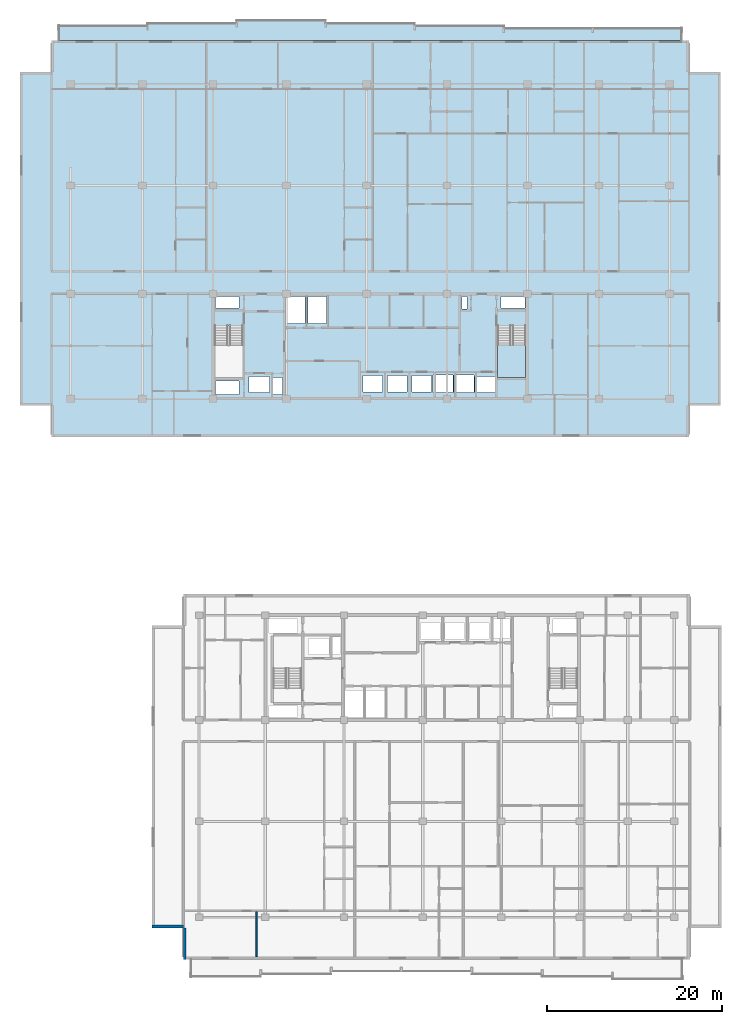
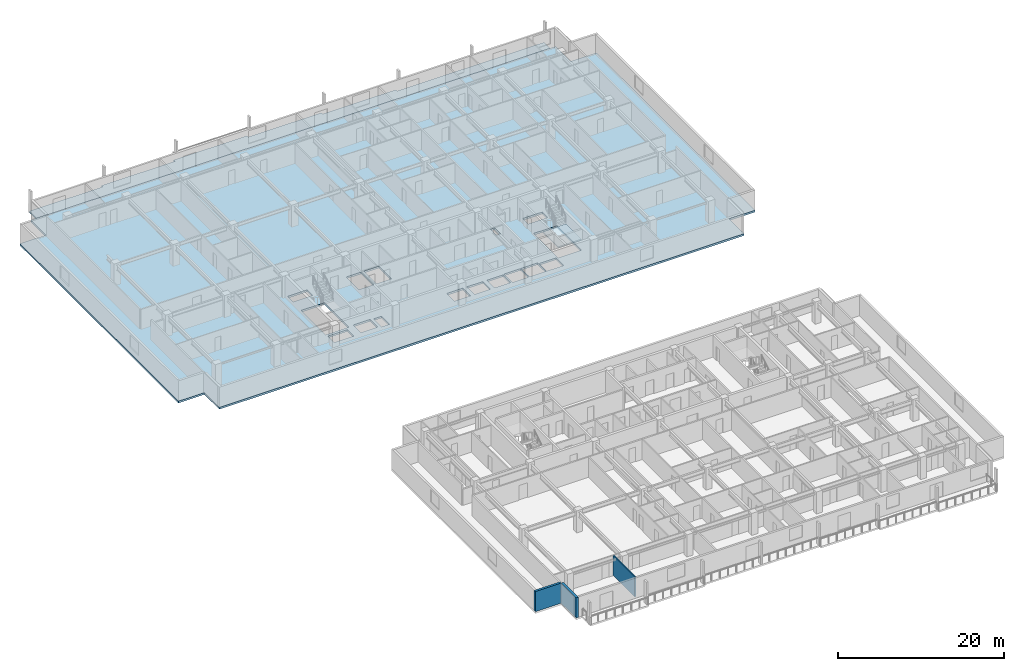
# One storey, part 3 of 21: 3 slabs, 3 walls, 1 element without a shape of its own.
"""IFC4 building model written with IfcOpenShell, lengths in metres."""

from ifc_helpers import new_model, si_unit, direction, frame, frame_2d, origin, place, context, subcontext, project, spatial, polyline, rectangle, outline, extrude, material, layer, layer_set, type_object, element, aggregate, save


model = new_model("IFC4")

# Units and contexts
model_context = context("Model", 3, precision=1e-05, world=origin(), true_north=direction((0.0, 1.0)))
body_context = subcontext(model_context, "Body", "Model", "MODEL_VIEW")
ifc_project = project(units=[si_unit("LENGTHUNIT", "METRE"), si_unit("AREAUNIT", "SQUARE_METRE"), si_unit("VOLUMEUNIT", "CUBIC_METRE"), si_unit("PLANEANGLEUNIT", "RADIAN"), si_unit("MASSUNIT", "GRAM", prefix="KILO")], contexts=[model_context])

# Site, building, storey
site_placement = place(None, origin())
site = spatial("IfcSite", under=ifc_project, at=site_placement, CompositionType="ELEMENT")
building_placement = place(site_placement, origin())
building = spatial("IfcBuilding", under=site, at=building_placement, Name="Korimba Cascade Residences", CompositionType="ELEMENT")
storey_placement = place(building_placement, frame((0.0, 0.0, 106.800048828125)))
storey = spatial("IfcBuildingStorey", under=building, at=storey_placement, Name="L30", CompositionType="ELEMENT", Elevation=106.800048828125)

# Stair, slab
ifc_material_1 = material(Name="Concrete C50/60", Category="concrete")
stair_type = type_object("IfcStairType", Name="STR-W2-18R-1806", PredefinedType="HALF_TURN_STAIR", material=ifc_material_1)
stair_placement = place(storey_placement, origin())
stair = element("IfcStair", 1, at=stair_placement, inside=storey, type_object=stair_type, Name="L30 Tower 1 East Fire Stair ST-W2", PredefinedType="HALF_TURN_STAIR")
ifc_layer_1 = layer(ifc_material_1, 0.199951171875)
ifc_layer_set_1 = layer_set([ifc_layer_1], Name="Concrete C50/60")
slab_type_1 = type_object("IfcSlabType", Name="SLB-LND-220", PredefinedType="LANDING", material=ifc_layer_set_1)
slab_1_placement = place(storey_placement, frame((0.0, 0.0, 1.425048828125)))
slab_1 = element("IfcSlab", 2, at=slab_1_placement, type_object=slab_type_1, Name="ST-W2 landing 1", PredefinedType="LANDING", context=body_context, shape_type="SweptSolid", body=[
    extrude(outline(polyline([(108.659912109375, 61.31005859375), (108.659912109375, 57.60009765625), (111.89990234375, 57.60009765625), (111.89990234375, 61.31005859375), (108.659912109375, 61.31005859375)])), origin(), (0.0, 0.0, 1.0), 0.199951171875),
])
aggregate(stair, [slab_1])

# Slabs
ifc_material_2 = material(Name="Precast concrete C40/50", Category="concrete")
ifc_layer_2 = layer(ifc_material_2, 0.239990234375)
ifc_layer_set_2 = layer_set([ifc_layer_2], Name="Precast concrete C40/50")
slab_type_2 = type_object("IfcSlabType", Name="SLB-LOG-240", PredefinedType="FLOOR", material=ifc_layer_set_2)
slab_2_placement = place(storey_placement, frame((0.0, 0.0, -0.239990234375)))
element("IfcSlab", 3, at=slab_2_placement, inside=storey, type_object=slab_type_2, Name="L30 Tower 1 North Loggia Slab", PredefinedType="FLOOR", context=body_context, shape_type="SweptSolid", body=[
    extrude(outline(polyline([(58.39990234375, 96.199951171875), (129.800048828125, 96.199951171875), (129.800048828125, 97.64990234375), (109.39990234375, 97.64990234375), (109.39990234375, 97.949951171875), (99.199951171875, 97.949951171875), (99.199951171875, 98.25), (89.0, 98.25), (89.0, 98.550048828125), (78.800048828125, 98.550048828125), (78.800048828125, 98.25), (68.60009765625, 98.25), (68.60009765625, 97.949951171875), (58.39990234375, 97.949951171875), (58.39990234375, 96.199951171875)])), origin(), (0.0, 0.0, 1.0), 0.239990234375),
])
ifc_layer_3 = layer(ifc_material_1, 0.280029296875)
ifc_layer_set_3 = layer_set([ifc_layer_3], Name="Concrete C50/60")
slab_type_3 = type_object("IfcSlabType", Name="SLB-TYP-280", PredefinedType="FLOOR", material=ifc_layer_set_3)
slab_3_placement = place(storey_placement, frame((0.0, 0.0, -0.280029296875)))
element("IfcSlab", 4, at=slab_3_placement, inside=storey, type_object=slab_type_3, Name="L30 Tower 1 Floor Slab", PredefinedType="FLOOR", context=body_context, shape_type="SweptSolid", body=[
    extrude(outline(polyline([(57.60009765625, 50.800048828125), (130.60009765625, 50.800048828125), (130.60009765625, 54.39990234375), (134.199951171875, 54.39990234375), (134.199951171875, 92.60009765625), (130.60009765625, 92.60009765625), (130.60009765625, 96.199951171875), (57.60009765625, 96.199951171875), (57.60009765625, 92.60009765625), (54.0, 92.60009765625), (54.0, 54.39990234375), (57.60009765625, 54.39990234375), (57.60009765625, 50.800048828125)]), holes=[polyline([(76.300048828125, 63.514892578125), (76.300048828125, 57.60009765625), (79.5400390625, 57.60009765625), (79.5400390625, 63.514892578125), (76.300048828125, 63.514892578125)]), polyline([(108.659912109375, 63.514892578125), (108.659912109375, 57.60009765625), (111.89990234375, 57.60009765625), (111.89990234375, 63.514892578125), (108.659912109375, 63.514892578125)]), polyline([(80.22998046875, 55.8798828125), (82.570068359375, 55.8798828125), (82.570068359375, 57.719970703125), (80.22998046875, 57.719970703125), (80.22998046875, 55.8798828125)]), polyline([(106.080078125, 55.8798828125), (108.419921875, 55.8798828125), (108.419921875, 57.719970703125), (106.080078125, 57.719970703125), (106.080078125, 55.8798828125)]), polyline([(93.280029296875, 55.97998046875), (95.52001953125, 55.97998046875), (95.52001953125, 57.820068359375), (93.280029296875, 57.820068359375), (93.280029296875, 55.97998046875)]), polyline([(96.080078125, 55.97998046875), (98.320068359375, 55.97998046875), (98.320068359375, 57.820068359375), (96.080078125, 57.820068359375), (96.080078125, 55.97998046875)]), polyline([(98.8798828125, 55.97998046875), (101.1201171875, 55.97998046875), (101.1201171875, 57.820068359375), (98.8798828125, 57.820068359375), (98.8798828125, 55.97998046875)]), polyline([(101.304931640625, 55.8798828125), (103.594970703125, 55.8798828125), (103.594970703125, 57.919921875), (101.304931640625, 57.919921875), (101.304931640625, 55.8798828125)]), polyline([(103.705078125, 55.8798828125), (105.9951171875, 55.8798828125), (105.9951171875, 57.919921875), (103.705078125, 57.919921875), (103.705078125, 55.8798828125)]), polyline([(82.97998046875, 55.679931640625), (84.080078125, 55.679931640625), (84.080078125, 57.6201171875), (82.97998046875, 57.6201171875), (82.97998046875, 55.679931640625)]), polyline([(76.39990234375, 65.56005859375), (79.10009765625, 65.56005859375), (79.10009765625, 66.8798828125), (76.39990234375, 66.8798828125), (76.39990234375, 65.56005859375)]), polyline([(76.39990234375, 55.679931640625), (79.10009765625, 55.679931640625), (79.10009765625, 57.239990234375), (76.39990234375, 57.239990234375), (76.39990234375, 55.679931640625)]), polyline([(84.530029296875, 63.820068359375), (86.6201171875, 63.820068359375), (86.6201171875, 66.8798828125), (84.530029296875, 66.8798828125), (84.530029296875, 63.820068359375)]), polyline([(86.97998046875, 63.820068359375), (89.070068359375, 63.820068359375), (89.070068359375, 66.8798828125), (86.97998046875, 66.8798828125), (86.97998046875, 63.820068359375)]), polyline([(104.6201171875, 65.4599609375), (105.179931640625, 65.4599609375), (105.179931640625, 66.8798828125), (104.6201171875, 66.8798828125), (104.6201171875, 65.4599609375)]), polyline([(109.080078125, 65.56005859375), (111.800048828125, 65.56005859375), (111.800048828125, 66.8798828125), (109.080078125, 66.8798828125), (109.080078125, 65.56005859375)])]), origin(), (0.0, 0.0, 1.0), 0.280029296875),
])

# Walls
ifc_layer_4 = layer(ifc_material_2, 0.300048828125)
ifc_layer_set_4 = layer_set([ifc_layer_4], Name="Precast concrete C40/50")
wall_type_1 = type_object("IfcWallType", Name="EW-STONE-300", PredefinedType="STANDARD", material=ifc_layer_set_4)
wall_1_placement = place(storey_placement, frame((69.10009765625, -5.25, 0.0), z_axis=(0.0, 0.0, 1.0), x_axis=(1.0, 0.0, 0.0)))
element("IfcWall", 5, at=wall_1_placement, inside=storey, type_object=wall_type_1, Name="L30 T2 Perimeter Stone Wall E10", PredefinedType="STANDARD", context=body_context, shape_type="SweptSolid", body=[
    extrude(rectangle(XDim=3.599853515625, YDim=0.300048828125, at=frame_2d((1.7998046875, 0.0))), origin(), (0.0, 0.0, 1.0), 2.969970703125),
])
wall_2_placement = place(storey_placement, frame((72.85009765625, -5.39990234375, 0.0), z_axis=(0.0, 0.0, 1.0), x_axis=(0.0, -1.0, 0.0)))
element("IfcWall", 6, at=wall_2_placement, inside=storey, type_object=wall_type_1, Name="L30 T2 Perimeter Stone Wall E11", PredefinedType="STANDARD", context=body_context, shape_type="SweptSolid", body=[
    extrude(rectangle(XDim=3.60009765625, YDim=0.300048828125, at=frame_2d((1.800048828125, 0.0))), origin(), (0.0, 0.0, 1.0), 2.969970703125),
])
ifc_material_3 = material(Name="Insulated Acoustic Stud Partition", Category="gypsum")
ifc_layer_5 = layer(ifc_material_3, 0.14990234375)
ifc_layer_set_5 = layer_set([ifc_layer_5], Name="Insulated Acoustic Stud Partition")
wall_type_2 = type_object("IfcWallType", Name="WAL-PART-150", PredefinedType="PARTITIONING", material=ifc_layer_set_5)
wall_3_placement = place(storey_placement, frame((81.0966796875, -8.699951171875, 0.0), z_axis=(0.0, 0.0, 1.0), x_axis=(0.0, 1.0, 0.0)))
element("IfcWall", 7, at=wall_3_placement, inside=storey, type_object=wall_type_2, Name="L30 Partition Wall WAL-L30-T2-U01-OUTV", PredefinedType="PARTITIONING", context=body_context, shape_type="SweptSolid", body=[
    extrude(rectangle(XDim=5.169921875, YDim=0.14990234375, at=frame_2d((2.5849609375, 0.0))), origin(), (0.0, 0.0, 1.0), 2.969970703125),
])

save(model, "model.ifc")
